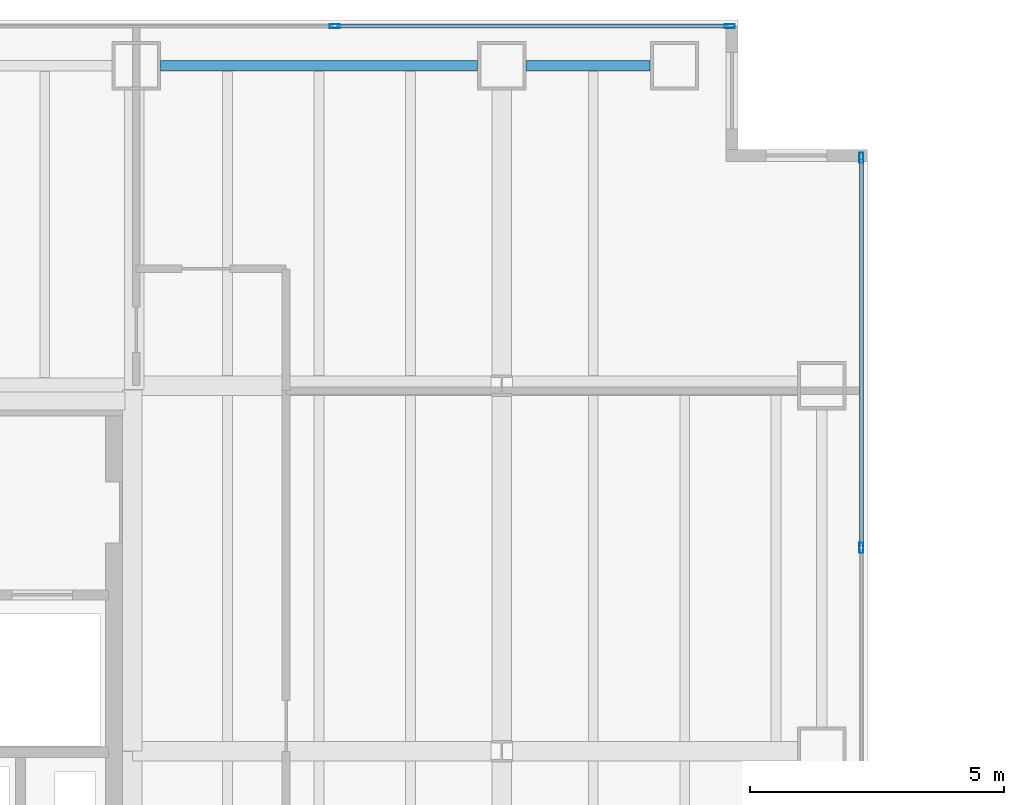
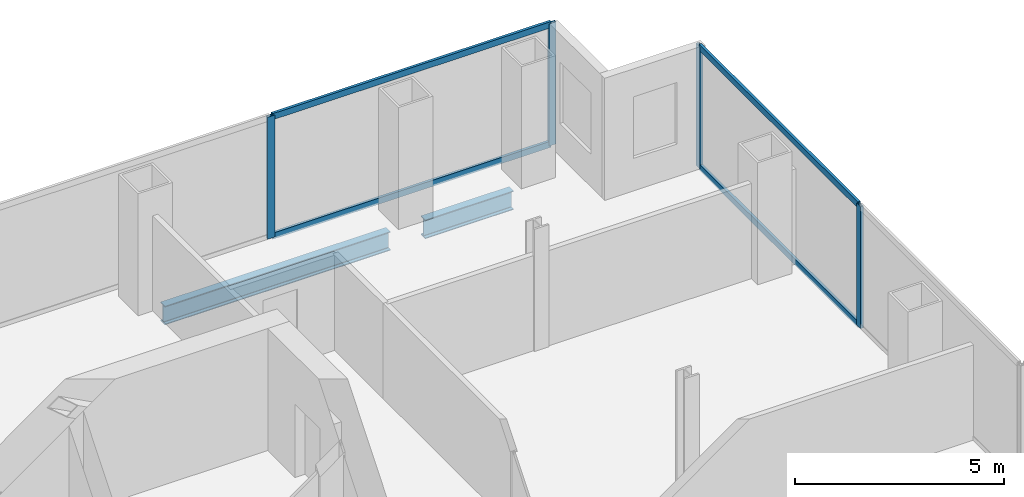
# One storey, part 18 of 23: 8 members, 2 beams, 2 elements without a shape of their own.
"""IFC4 building model written with IfcOpenShell, lengths in metres."""

from ifc_helpers import new_model, si_unit, direction, frame, origin, origin_2d, place, context, subcontext, project, spatial, hollow_rectangle, i_section, extrude, material, material_profile, profile_set, type_object, element, aggregate, save


model = new_model("IFC4")

# Units and contexts
model_context = context("Model", 3, precision=1e-05, world=origin(), true_north=direction((0.0, 1.0)))
body_context = subcontext(model_context, "Body", "Model", "MODEL_VIEW")
ifc_project = project(units=[si_unit("LENGTHUNIT", "METRE"), si_unit("AREAUNIT", "SQUARE_METRE"), si_unit("VOLUMEUNIT", "CUBIC_METRE"), si_unit("PLANEANGLEUNIT", "RADIAN"), si_unit("MASSUNIT", "GRAM", prefix="KILO")], contexts=[model_context])

# Site, building, storey
site_placement = place(None, origin())
site = spatial("IfcSite", under=ifc_project, at=site_placement, CompositionType="ELEMENT")
building_placement = place(site_placement, origin())
building = spatial("IfcBuilding", under=site, at=building_placement, Name="Cobrela Telecom Tower", CompositionType="ELEMENT")
storey_placement = place(building_placement, frame((0.0, 0.0, 81.199951171875)))
storey = spatial("IfcBuildingStorey", under=building, at=storey_placement, Name="L20", CompositionType="ELEMENT", Elevation=81.199951171875)

# Beams
ifc_material_1 = material(Name="Steel ASTM A992 Grade 50", Category="steel")
ifc_material_profile_1 = material_profile(ifc_material_1, i_section(OverallWidth=0.212890625, OverallDepth=0.549072265625, WebThickness=0.0146484375, FlangeThickness=0.023681640625, FilletRadius=0.013916015625, at=origin_2d()), Name="W21X93")
ifc_profile_set_1 = profile_set([ifc_material_profile_1], Name="Steel ASTM A992 Grade 50")
beam_type = type_object("IfcBeamType", Name="BM-SPAND-03", PredefinedType="SPANDREL", material=ifc_profile_set_1)
beam_1_placement = place(storey_placement, frame((14.8798828125, 42.300048828125, -0.554443359375), z_axis=(1.0, 0.0, 0.0), x_axis=(0.0, 1.0, 0.0)))
element("IfcBeam", 1, at=beam_1_placement, inside=storey, type_object=beam_type, Name="L20 Perimeter Spandrel X30", PredefinedType="SPANDREL", context=body_context, shape_type="SweptSolid", body=[
    extrude(i_section(OverallWidth=0.212890625, OverallDepth=0.549072265625, WebThickness=0.0146484375, FlangeThickness=0.023681640625, FilletRadius=0.013916015625, at=origin_2d()), origin(), (0.0, 0.0, 1.0), 6.240234375),
])
beam_2_placement = place(storey_placement, frame((22.080078125, 42.300048828125, -0.554443359375), z_axis=(1.0, 0.0, 0.0), x_axis=(0.0, 1.0, 0.0)))
element("IfcBeam", 2, at=beam_2_placement, inside=storey, type_object=beam_type, Name="L20 Perimeter Spandrel X31", PredefinedType="SPANDREL", context=body_context, shape_type="SweptSolid", body=[
    extrude(i_section(OverallWidth=0.212890625, OverallDepth=0.549072265625, WebThickness=0.0146484375, FlangeThickness=0.023681640625, FilletRadius=0.013916015625, at=origin_2d()), origin(), (0.0, 0.0, 1.0), 2.43994140625),
])

# Curtain wall, members
ifc_material_2 = material(Name="Anodized Bronze Aluminium 6063-T6", Category="aluminium")
curtain_wall_type = type_object("IfcCurtainWallType", Name="CW-SYS-DATA", PredefinedType="USERDEFINED", material=ifc_material_2)
curtain_wall_1_placement = place(storey_placement, origin())
curtain_wall_1 = element("IfcCurtainWall", 3, at=curtain_wall_1_placement, inside=storey, type_object=curtain_wall_type, Name="L20 Unitised Bronze Curtain Wall 07", ObjectType="UNITISED CURTAIN WALL", PredefinedType="USERDEFINED")
ifc_material_profile_2 = material_profile(ifc_material_2, hollow_rectangle(XDim=0.080078125, YDim=0.199951171875, WallThickness=0.00390625, at=origin_2d()), Name="ALU 80x200x4")
ifc_profile_set_2 = profile_set([ifc_material_profile_2], Name="Anodized Bronze Aluminium 6063-T6")
member_type_1 = type_object("IfcMemberType", Name="CW-SYS-DATA-MUL", PredefinedType="MULLION", material=ifc_profile_set_2)
member_1_placement = place(storey_placement, frame((18.31005859375, 43.080078125, 0.0), z_axis=(0.0, 0.0, 1.0), x_axis=(0.0, 1.0, 0.0)))
member_1 = element("IfcMember", 4, at=member_1_placement, type_object=member_type_1, Name="CW-DATA mullion 3", PredefinedType="MULLION", context=body_context, shape_type="SweptSolid", body=[
    extrude(hollow_rectangle(XDim=0.080078125, YDim=0.199951171875, WallThickness=0.00390625, at=origin_2d()), origin(), (0.0, 0.0, 1.0), 3.570068359375),
])
member_2_placement = place(storey_placement, frame((26.090087890625, 43.080078125, 0.0), z_axis=(0.0, 0.0, 1.0), x_axis=(0.0, 1.0, 0.0)))
member_2 = element("IfcMember", 5, at=member_2_placement, type_object=member_type_1, Name="CW-DATA mullion 4", PredefinedType="MULLION", context=body_context, shape_type="SweptSolid", body=[
    extrude(hollow_rectangle(XDim=0.080078125, YDim=0.199951171875, WallThickness=0.00390625, at=origin_2d()), origin(), (0.0, 0.0, 1.0), 3.570068359375),
])

curtain_wall_2_placement = place(storey_placement, origin())
curtain_wall_2 = element("IfcCurtainWall", 6, at=curtain_wall_2_placement, inside=storey, type_object=curtain_wall_type, Name="L20 Unitised Bronze Curtain Wall 10", ObjectType="UNITISED CURTAIN WALL", PredefinedType="USERDEFINED")
member_3_placement = place(storey_placement, frame((28.679931640625, 40.489990234375, 0.0), z_axis=(0.0, 0.0, 1.0), x_axis=(1.0, 0.0, 0.0)))
member_3 = element("IfcMember", 7, at=member_3_placement, type_object=member_type_1, Name="CW-DATA mullion 1", PredefinedType="MULLION", context=body_context, shape_type="SweptSolid", body=[
    extrude(hollow_rectangle(XDim=0.080078125, YDim=0.199951171875, WallThickness=0.00390625, at=origin_2d()), origin(), (0.0, 0.0, 1.0), 3.570068359375),
])
member_4_placement = place(storey_placement, frame((28.679931640625, 32.804931640625, 0.0), z_axis=(0.0, 0.0, 1.0), x_axis=(1.0, 0.0, 0.0)))
member_4 = element("IfcMember", 8, at=member_4_placement, type_object=member_type_1, Name="CW-DATA mullion 2", PredefinedType="MULLION", context=body_context, shape_type="SweptSolid", body=[
    extrude(hollow_rectangle(XDim=0.080078125, YDim=0.199951171875, WallThickness=0.00390625, at=origin_2d()), origin(), (0.0, 0.0, 1.0), 3.570068359375),
])

# Member
ifc_material_profile_3 = material_profile(ifc_material_2, hollow_rectangle(XDim=0.074951171875, YDim=0.179931640625, WallThickness=0.00390625, at=origin_2d()), Name="ALU 75x180x4")
ifc_profile_set_3 = profile_set([ifc_material_profile_3], Name="Anodized Bronze Aluminium 6063-T6")
member_type_2 = type_object("IfcMemberType", Name="CW-SYS-DATA-TRN", PredefinedType="USERDEFINED", material=ifc_profile_set_3)
member_5_placement = place(storey_placement, frame((18.35009765625, 43.080078125, 0.03759765625), z_axis=(1.0, 0.0, 0.0), x_axis=(0.0, 1.0, 0.0)))
member_5 = element("IfcMember", 9, at=member_5_placement, type_object=member_type_2, Name="CW-DATA transom 3.1", ObjectType="TRANSOM", PredefinedType="USERDEFINED", context=body_context, shape_type="SweptSolid", body=[
    extrude(hollow_rectangle(XDim=0.074951171875, YDim=0.179931640625, WallThickness=0.00390625, at=origin_2d()), origin(), (0.0, 0.0, 1.0), 7.699951171875),
])

member_6_placement = place(storey_placement, frame((18.35009765625, 43.080078125, 3.532470703125), z_axis=(1.0, 0.0, 0.0), x_axis=(0.0, 1.0, 0.0)))
member_6 = element("IfcMember", 10, at=member_6_placement, type_object=member_type_2, Name="CW-DATA transom 3.2", ObjectType="TRANSOM", PredefinedType="USERDEFINED", context=body_context, shape_type="SweptSolid", body=[
    extrude(hollow_rectangle(XDim=0.074951171875, YDim=0.179931640625, WallThickness=0.00390625, at=origin_2d()), origin(), (0.0, 0.0, 1.0), 7.699951171875),
])

aggregate(curtain_wall_1, [member_1, member_2, member_5, member_6])

member_7_placement = place(storey_placement, frame((28.679931640625, 40.449951171875, 0.03759765625), z_axis=(0.0, -1.0, 0.0), x_axis=(1.0, 0.0, 0.0)))
member_7 = element("IfcMember", 11, at=member_7_placement, type_object=member_type_2, Name="CW-DATA transom 1.1", ObjectType="TRANSOM", PredefinedType="USERDEFINED", context=body_context, shape_type="SweptSolid", body=[
    extrude(hollow_rectangle(XDim=0.074951171875, YDim=0.179931640625, WallThickness=0.00390625, at=origin_2d()), origin(), (0.0, 0.0, 1.0), 7.60498046875),
])

member_8_placement = place(storey_placement, frame((28.679931640625, 40.449951171875, 3.532470703125), z_axis=(0.0, -1.0, 0.0), x_axis=(1.0, 0.0, 0.0)))
member_8 = element("IfcMember", 12, at=member_8_placement, type_object=member_type_2, Name="CW-DATA transom 1.2", ObjectType="TRANSOM", PredefinedType="USERDEFINED", context=body_context, shape_type="SweptSolid", body=[
    extrude(hollow_rectangle(XDim=0.074951171875, YDim=0.179931640625, WallThickness=0.00390625, at=origin_2d()), origin(), (0.0, 0.0, 1.0), 7.60498046875),
])

aggregate(curtain_wall_2, [member_3, member_4, member_7, member_8])

save(model, "model.ifc")
